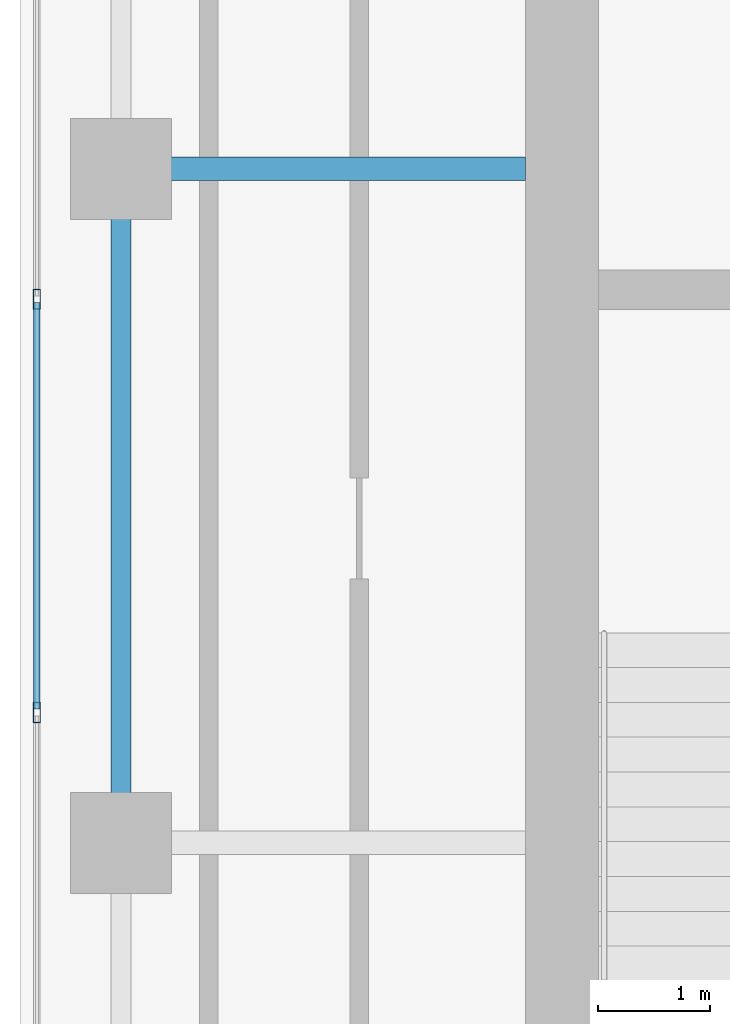
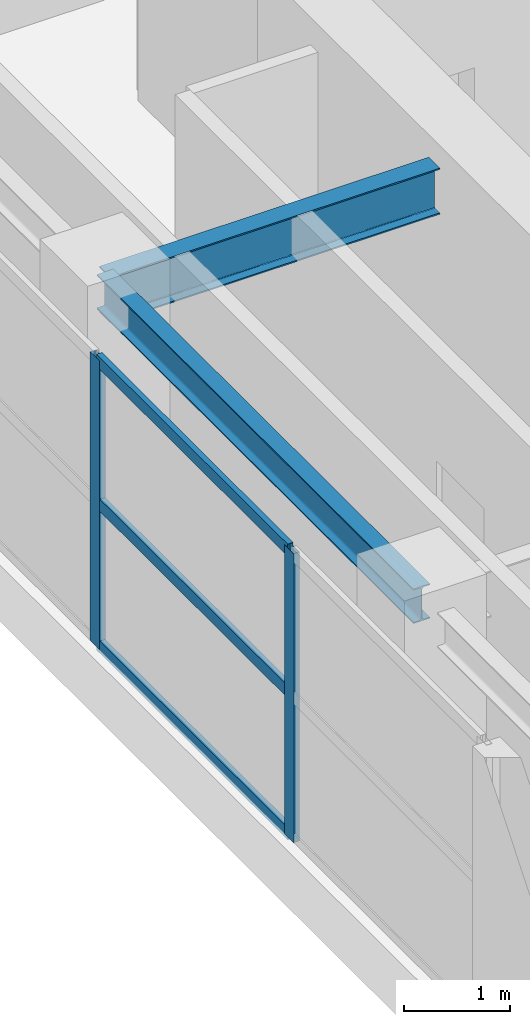
# One storey, part 8 of 24: 5 members, 2 beams, 1 element without a shape of its own.
"""IFC4 building model written with IfcOpenShell, lengths in metres."""

from ifc_helpers import new_model, si_unit, direction, frame, origin, origin_2d, place, context, subcontext, project, spatial, hollow_rectangle, i_section, extrude, source, transform, mapped, material, layer, layer_set, material_profile, profile_set, type_object, element, aggregate, save


model = new_model("IFC4")

# Units and contexts
model_context = context("Model", 3, precision=1e-05, world=origin(), true_north=direction((0.0, 1.0)))
body_context = subcontext(model_context, "Body", "Model", "MODEL_VIEW")
ifc_project = project(units=[si_unit("LENGTHUNIT", "METRE"), si_unit("AREAUNIT", "SQUARE_METRE"), si_unit("VOLUMEUNIT", "CUBIC_METRE"), si_unit("PLANEANGLEUNIT", "RADIAN"), si_unit("MASSUNIT", "GRAM", prefix="KILO")], contexts=[model_context])

# Site, building, storey
site_placement = place(None, origin())
site = spatial("IfcSite", under=ifc_project, at=site_placement, CompositionType="ELEMENT")
building_placement = place(site_placement, origin())
building = spatial("IfcBuilding", under=site, at=building_placement, Name="Khoralis Quay Care Tower", CompositionType="ELEMENT")
storey_placement = place(building_placement, frame((0.0, 0.0, 155.699951171875)))
storey = spatial("IfcBuildingStorey", under=building, at=storey_placement, Name="L40", CompositionType="ELEMENT", Elevation=155.699951171875)

# Beams
ifc_material_1 = material(Name="Steel S355", Category="steel")
ifc_material_profile_1 = material_profile(ifc_material_1, i_section(OverallWidth=0.179931640625, OverallDepth=0.39990234375, WebThickness=0.008544921875, FlangeThickness=0.013427734375, FilletRadius=0.02099609375, at=origin_2d()), Name="Steel S355")
ifc_profile_set_1 = profile_set([ifc_material_profile_1], Name="Steel S355")
beam_type_1 = type_object("IfcBeamType", Name="BM-IPE400", PredefinedType="SPANDREL", material=ifc_profile_set_1)
shared_shape_1 = source(origin(), body_context, "Body", "SweptSolid", [
    extrude(i_section(OverallWidth=0.179931640625, OverallDepth=0.39990234375, WebThickness=0.008544921875, FlangeThickness=0.013427734375, FilletRadius=0.02099609375, at=origin_2d()), origin(), (0.0, 0.0, 1.0), 6.0),
])
beam_1_placement = place(storey_placement, frame((3.89990234375, 18.0, 3.14013671875), z_axis=(0.0, 1.0, 0.0), x_axis=(-1.0, 0.0, 0.0)))
element("IfcBeam", 1, at=beam_1_placement, inside=storey, type_object=beam_type_1, Name="BM-TSP-L40-11", PredefinedType="SPANDREL", context=body_context, shape_type="MappedRepresentation", body=[
    mapped(shared_shape_1, transform((0.0, 0.0, 0.0), scale=1.0)),
])
ifc_material_profile_2 = material_profile(ifc_material_1, i_section(OverallWidth=0.208984375, OverallDepth=0.532958984375, WebThickness=0.01025390625, FlangeThickness=0.015625, FilletRadius=0.01611328125, at=origin_2d()), Name="Steel S355")
ifc_profile_set_2 = profile_set([ifc_material_profile_2], Name="Steel S355")
beam_type_2 = type_object("IfcBeamType", Name="BM-W530X92", PredefinedType="BEAM", material=ifc_profile_set_2)
shared_shape_2 = source(origin(), body_context, "Body", "SweptSolid", [
    extrude(i_section(OverallWidth=0.208984375, OverallDepth=0.532958984375, WebThickness=0.01025390625, FlangeThickness=0.015625, FilletRadius=0.01611328125, at=origin_2d()), origin(), (0.0, 0.0, 1.0), 3.60205078125),
])
beam_2_placement = place(storey_placement, frame((3.89990234375, 24.0, 3.073486328125), z_axis=(1.0, 0.0, 0.0), x_axis=(0.0, 1.0, 0.0)))
element("IfcBeam", 2, at=beam_2_placement, inside=storey, type_object=beam_type_2, Name="BM-TGXW-L40-240", PredefinedType="BEAM", context=body_context, shape_type="MappedRepresentation", body=[
    mapped(shared_shape_2, transform((0.0, 0.0, 0.0), scale=1.0)),
])

# Curtain wall, members
ifc_material_2 = material(Name="Pale anodised aluminium", Category="aluminium")
ifc_layer = layer(ifc_material_2, 0.159912109375)
ifc_layer_set = layer_set([ifc_layer], Name="Pale anodised aluminium")
curtain_wall_type = type_object("IfcCurtainWallType", Name="CW-SYS-Z3", PredefinedType="NOTDEFINED", material=ifc_layer_set)
curtain_wall_placement = place(storey_placement, origin())
curtain_wall = element("IfcCurtainWall", 3, at=curtain_wall_placement, inside=storey, type_object=curtain_wall_type, Name="L40 Unitised Curtain Wall CW-L40-P1-E15", PredefinedType="NOTDEFINED")
ifc_material_profile_3 = material_profile(ifc_material_2, hollow_rectangle(XDim=0.06494140625, YDim=0.179931640625, WallThickness=0.00390625, at=origin_2d()), Name="Pale anodised aluminium")
ifc_profile_set_3 = profile_set([ifc_material_profile_3], Name="Pale anodised aluminium")
member_type_1 = type_object("IfcMemberType", Name="CW-MUL-180", PredefinedType="MULLION", material=ifc_profile_set_3)
shared_shape_3 = source(origin(), body_context, "Body", "SweptSolid", [
    extrude(hollow_rectangle(XDim=0.06494140625, YDim=0.179931640625, WallThickness=0.00390625, at=origin_2d()), origin(), (0.0, 0.0, 1.0), 3.340087890625),
])
member_1_placement = place(storey_placement, frame((3.14990234375, 22.840087890625, 0.0), z_axis=(0.0, 0.0, 1.0), x_axis=(1.0, 0.0, 0.0)))
member_1 = element("IfcMember", 4, at=member_1_placement, type_object=member_type_1, Name="CW3 mullion 2", PredefinedType="MULLION", context=body_context, shape_type="MappedRepresentation", body=[
    mapped(shared_shape_3, transform((0.0, 0.0, 0.0), scale=1.0)),
])
member_2_placement = place(storey_placement, frame((3.14990234375, 19.159912109375, 0.0), z_axis=(0.0, 0.0, 1.0), x_axis=(1.0, 0.0, 0.0)))
member_2 = element("IfcMember", 5, at=member_2_placement, type_object=member_type_1, Name="CW3 mullion 3", PredefinedType="MULLION", context=body_context, shape_type="MappedRepresentation", body=[
    mapped(shared_shape_3, transform((0.0, 0.0, 0.0), scale=1.0)),
])
ifc_material_profile_4 = material_profile(ifc_material_2, hollow_rectangle(XDim=0.06005859375, YDim=0.139892578125, WallThickness=0.00390625, at=origin_2d()), Name="Pale anodised aluminium")
ifc_profile_set_4 = profile_set([ifc_material_profile_4], Name="Pale anodised aluminium")
member_type_2 = type_object("IfcMemberType", Name="CW-TRN-140", PredefinedType="USERDEFINED", material=ifc_profile_set_4)
shared_shape_4 = source(origin(), body_context, "Body", "SweptSolid", [
    extrude(hollow_rectangle(XDim=0.06005859375, YDim=0.139892578125, WallThickness=0.00390625, at=origin_2d()), origin(), (0.0, 0.0, 1.0), 3.6201171875),
])
member_3_placement = place(storey_placement, frame((3.14990234375, 22.81005859375, 0.030029296875), z_axis=(0.0, -1.0, 0.0), x_axis=(1.0, 0.0, 0.0)))
member_3 = element("IfcMember", 6, at=member_3_placement, type_object=member_type_2, Name="CW3 transom 2.1", ObjectType="TRANSOM", PredefinedType="USERDEFINED", context=body_context, shape_type="MappedRepresentation", body=[
    mapped(shared_shape_4, transform((0.0, 0.0, 0.0), scale=1.0)),
])
member_4_placement = place(storey_placement, frame((3.14990234375, 22.81005859375, 1.670166015625), z_axis=(0.0, -1.0, 0.0), x_axis=(1.0, 0.0, 0.0)))
member_4 = element("IfcMember", 7, at=member_4_placement, type_object=member_type_2, Name="CW3 transom 2.2", ObjectType="TRANSOM", PredefinedType="USERDEFINED", context=body_context, shape_type="MappedRepresentation", body=[
    mapped(shared_shape_4, transform((0.0, 0.0, 0.0), scale=1.0)),
])
member_5_placement = place(storey_placement, frame((3.14990234375, 22.81005859375, 3.31005859375), z_axis=(0.0, -1.0, 0.0), x_axis=(1.0, 0.0, 0.0)))
member_5 = element("IfcMember", 8, at=member_5_placement, type_object=member_type_2, Name="CW3 transom 2.3", ObjectType="TRANSOM", PredefinedType="USERDEFINED", context=body_context, shape_type="MappedRepresentation", body=[
    mapped(shared_shape_4, transform((0.0, 0.0, 0.0), scale=1.0)),
])
aggregate(curtain_wall, [member_1, member_2, member_3, member_4, member_5])

save(model, "model.ifc")
